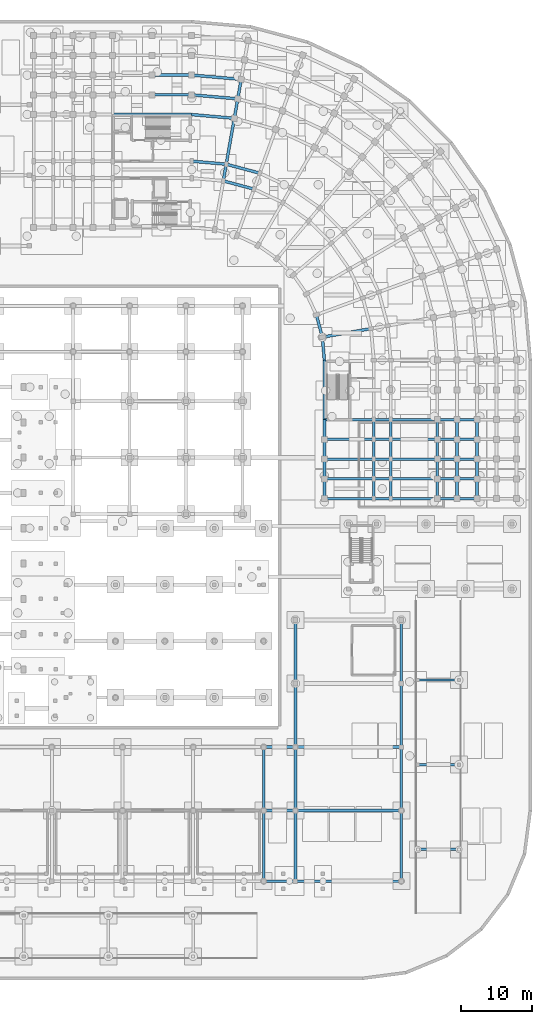
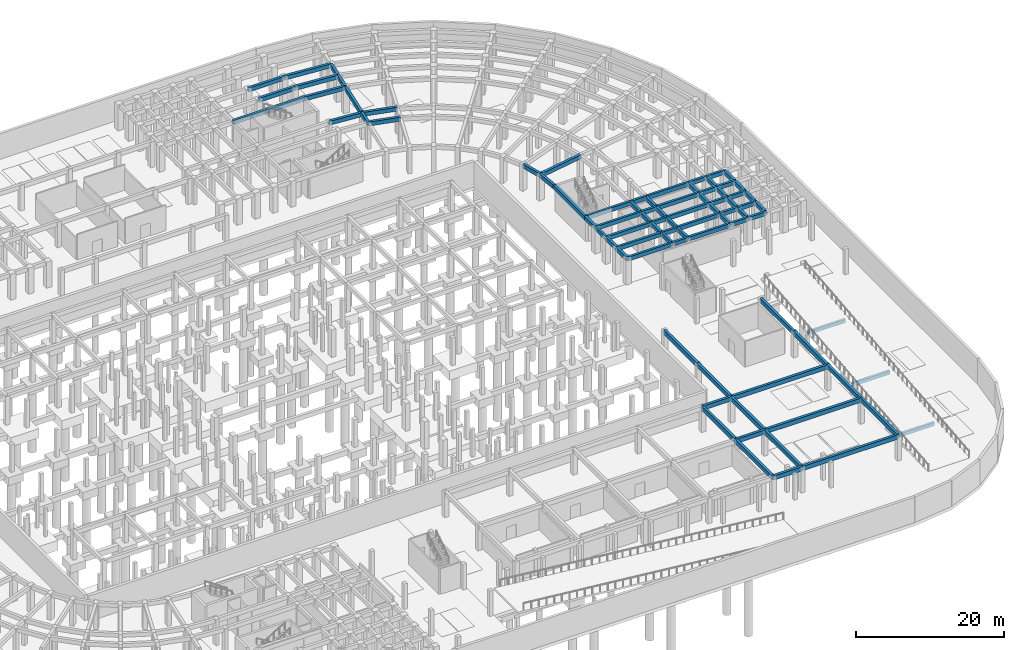
# One storey, part 26 of 53: 85 beams.
"""IFC4 building model written with IfcOpenShell, lengths in metres."""

from ifc_helpers import new_model, si_unit, direction, frame, origin, origin_2d, place, context, subcontext, project, spatial, rectangle, extrude, material, material_profile, profile_set, type_object, element, save


model = new_model("IFC4")

# Units and contexts
model_context = context("Model", 3, precision=1e-05, world=origin(), true_north=direction((0.0, 1.0)))
body_context = subcontext(model_context, "Body", "Model", "MODEL_VIEW")
ifc_project = project(units=[si_unit("LENGTHUNIT", "METRE"), si_unit("AREAUNIT", "SQUARE_METRE"), si_unit("VOLUMEUNIT", "CUBIC_METRE"), si_unit("PLANEANGLEUNIT", "RADIAN"), si_unit("MASSUNIT", "GRAM", prefix="KILO")], contexts=[model_context])

# Site, building, storey
site_placement = place(None, origin())
site = spatial("IfcSite", under=ifc_project, at=site_placement, CompositionType="ELEMENT")
building_placement = place(site_placement, origin())
building = spatial("IfcBuilding", under=site, at=building_placement, Name="Kiranvali Square Residences", CompositionType="ELEMENT")
storey_placement = place(building_placement, frame((0.0, 0.0, -4.5)))
storey = spatial("IfcBuildingStorey", under=building, at=storey_placement, Name="B1", CompositionType="ELEMENT", Elevation=-4.5)

# Beams
ifc_material_1 = material(Name="Concrete M40 (40 MPa)", Category="concrete")
ifc_material_profile_1 = material_profile(ifc_material_1, rectangle(XDim=0.35009765625, YDim=0.550048828125, at=origin_2d()), Name="RC 350x550")
ifc_profile_set_1 = profile_set([ifc_material_profile_1], Name="Concrete M40 (40 MPa)")
beam_type_1 = type_object("IfcBeamType", Name="BM-M40-350x550", PredefinedType="BEAM", material=ifc_profile_set_1)
for number, where, z_axis, x_axis, name in (
    (1, (151.85009765625, 42.5, 2.7451171875), (1.0, 0.0, 0.0), (0.0, 1.0, 0.0), "B1 beam BM-VR2-SUP-1"),
    (2, (151.85009765625, 30.5, 1.544921875), (1.0, 0.0, 0.0), (0.0, 1.0, 0.0), "B1 beam BM-VR2-SUP-2"),
    (3, (151.85009765625, 18.5, 0.344970703125), (1.0, 0.0, 0.0), (0.0, 1.0, 0.0), "B1 beam BM-VR2-SUP-3"),
):
    element("IfcBeam", number, at=place(storey_placement, frame(where, z_axis=z_axis, x_axis=x_axis)), inside=storey, type_object=beam_type_1, Name=name, PredefinedType="BEAM", context=body_context, shape_type="SweptSolid", body=[
        extrude(rectangle(XDim=0.35009765625, YDim=0.550048828125, at=origin_2d()), origin(), (0.0, 0.0, 1.0), 5.7998046875),
    ])
ifc_material_profile_2 = material_profile(ifc_material_1, rectangle(XDim=0.35009765625, YDim=0.64990234375, at=origin_2d()), Name="RC 350x650")
ifc_profile_set_2 = profile_set([ifc_material_profile_2], Name="Concrete M40 (40 MPa)")
beam_type_2 = type_object("IfcBeamType", Name="BM-M40-350x650", PredefinedType="BEAM", material=ifc_profile_set_2)
beam_1_placement = place(storey_placement, frame((138.60009765625, 79.39990234375, 3.955078125), z_axis=(1.0, 0.0, 0.0), x_axis=(0.0, 1.0, 0.0)))
element("IfcBeam", 4, at=beam_1_placement, inside=storey, type_object=beam_type_2, Name="B1 beam BM-B-B1-A2T1-01", PredefinedType="BEAM", context=body_context, shape_type="SweptSolid", body=[
    extrude(rectangle(XDim=0.35009765625, YDim=0.64990234375, at=origin_2d()), origin(), (0.0, 0.0, 1.0), 7.0),
])
beam_2_placement = place(storey_placement, frame((145.60009765625, 79.39990234375, 3.955078125), z_axis=(1.0, 0.0, 0.0), x_axis=(0.0, 1.0, 0.0)))
element("IfcBeam", 5, at=beam_2_placement, inside=storey, type_object=beam_type_2, Name="B1 beam BM-B-B1-A2T1-12", PredefinedType="BEAM", context=body_context, shape_type="SweptSolid", body=[
    extrude(rectangle(XDim=0.35009765625, YDim=0.64990234375, at=origin_2d()), origin(), (0.0, 0.0, 1.0), 2.39990234375),
])
beam_3_placement = place(storey_placement, frame((148.0, 79.39990234375, 3.955078125), z_axis=(1.0, 0.0, 0.0), x_axis=(0.0, 1.0, 0.0)))
element("IfcBeam", 6, at=beam_3_placement, inside=storey, type_object=beam_type_2, Name="B1 beam BM-B-B1-A2T1-23", PredefinedType="BEAM", context=body_context, shape_type="SweptSolid", body=[
    extrude(rectangle(XDim=0.35009765625, YDim=0.64990234375, at=origin_2d()), origin(), (0.0, 0.0, 1.0), 6.60009765625),
])
beam_4_placement = place(storey_placement, frame((154.60009765625, 79.39990234375, 3.955078125), z_axis=(1.0, 0.0, 0.0), x_axis=(0.0, 1.0, 0.0)))
element("IfcBeam", 7, at=beam_4_placement, inside=storey, type_object=beam_type_2, Name="B1 beam BM-B-B1-A2T1-34", PredefinedType="BEAM", context=body_context, shape_type="SweptSolid", body=[
    extrude(rectangle(XDim=0.35009765625, YDim=0.64990234375, at=origin_2d()), origin(), (0.0, 0.0, 1.0), 2.7998046875),
])
beam_5_placement = place(storey_placement, frame((157.39990234375, 79.39990234375, 3.955078125), z_axis=(1.0, 0.0, 0.0), x_axis=(0.0, 1.0, 0.0)))
element("IfcBeam", 8, at=beam_5_placement, inside=storey, type_object=beam_type_2, Name="B1 beam BM-B-B1-A2T1-45", PredefinedType="BEAM", context=body_context, shape_type="SweptSolid", body=[
    extrude(rectangle(XDim=0.35009765625, YDim=0.64990234375, at=origin_2d()), origin(), (0.0, 0.0, 1.0), 2.800048828125),
])
beam_6_placement = place(storey_placement, frame((138.60009765625, 76.60009765625, 3.955078125), z_axis=(1.0, 0.0, 0.0), x_axis=(0.0, 1.0, 0.0)))
element("IfcBeam", 9, at=beam_6_placement, inside=storey, type_object=beam_type_2, Name="B1 beam BM-B-B1-A2T2-01", PredefinedType="BEAM", context=body_context, shape_type="SweptSolid", body=[
    extrude(rectangle(XDim=0.35009765625, YDim=0.64990234375, at=origin_2d()), origin(), (0.0, 0.0, 1.0), 7.0),
])
beam_7_placement = place(storey_placement, frame((145.60009765625, 76.60009765625, 3.955078125), z_axis=(1.0, 0.0, 0.0), x_axis=(0.0, 1.0, 0.0)))
element("IfcBeam", 10, at=beam_7_placement, inside=storey, type_object=beam_type_2, Name="B1 beam BM-B-B1-A2T2-12", PredefinedType="BEAM", context=body_context, shape_type="SweptSolid", body=[
    extrude(rectangle(XDim=0.35009765625, YDim=0.64990234375, at=origin_2d()), origin(), (0.0, 0.0, 1.0), 2.39990234375),
])
beam_8_placement = place(storey_placement, frame((148.0, 76.60009765625, 3.955078125), z_axis=(1.0, 0.0, 0.0), x_axis=(0.0, 1.0, 0.0)))
element("IfcBeam", 11, at=beam_8_placement, inside=storey, type_object=beam_type_2, Name="B1 beam BM-B-B1-A2T2-23", PredefinedType="BEAM", context=body_context, shape_type="SweptSolid", body=[
    extrude(rectangle(XDim=0.35009765625, YDim=0.64990234375, at=origin_2d()), origin(), (0.0, 0.0, 1.0), 6.60009765625),
])
beam_9_placement = place(storey_placement, frame((154.60009765625, 76.60009765625, 3.955078125), z_axis=(1.0, 0.0, 0.0), x_axis=(0.0, 1.0, 0.0)))
element("IfcBeam", 12, at=beam_9_placement, inside=storey, type_object=beam_type_2, Name="B1 beam BM-B-B1-A2T2-34", PredefinedType="BEAM", context=body_context, shape_type="SweptSolid", body=[
    extrude(rectangle(XDim=0.35009765625, YDim=0.64990234375, at=origin_2d()), origin(), (0.0, 0.0, 1.0), 2.7998046875),
])
beam_10_placement = place(storey_placement, frame((157.39990234375, 76.60009765625, 3.955078125), z_axis=(1.0, 0.0, 0.0), x_axis=(0.0, 1.0, 0.0)))
element("IfcBeam", 13, at=beam_10_placement, inside=storey, type_object=beam_type_2, Name="B1 beam BM-B-B1-A2T2-45", PredefinedType="BEAM", context=body_context, shape_type="SweptSolid", body=[
    extrude(rectangle(XDim=0.35009765625, YDim=0.64990234375, at=origin_2d()), origin(), (0.0, 0.0, 1.0), 2.800048828125),
])
beam_11_placement = place(storey_placement, frame((138.60009765625, 73.800048828125, 3.955078125), z_axis=(1.0, 0.0, 0.0), x_axis=(0.0, 1.0, 0.0)))
element("IfcBeam", 14, at=beam_11_placement, inside=storey, type_object=beam_type_2, Name="B1 beam BM-B-B1-A2T3-01", PredefinedType="BEAM", context=body_context, shape_type="SweptSolid", body=[
    extrude(rectangle(XDim=0.35009765625, YDim=0.64990234375, at=origin_2d()), origin(), (0.0, 0.0, 1.0), 7.0),
])
beam_12_placement = place(storey_placement, frame((145.60009765625, 73.800048828125, 3.955078125), z_axis=(1.0, 0.0, 0.0), x_axis=(0.0, 1.0, 0.0)))
element("IfcBeam", 15, at=beam_12_placement, inside=storey, type_object=beam_type_2, Name="B1 beam BM-B-B1-A2T3-12", PredefinedType="BEAM", context=body_context, shape_type="SweptSolid", body=[
    extrude(rectangle(XDim=0.35009765625, YDim=0.64990234375, at=origin_2d()), origin(), (0.0, 0.0, 1.0), 2.39990234375),
])
beam_13_placement = place(storey_placement, frame((148.0, 73.800048828125, 3.955078125), z_axis=(1.0, 0.0, 0.0), x_axis=(0.0, 1.0, 0.0)))
element("IfcBeam", 16, at=beam_13_placement, inside=storey, type_object=beam_type_2, Name="B1 beam BM-B-B1-A2T3-23", PredefinedType="BEAM", context=body_context, shape_type="SweptSolid", body=[
    extrude(rectangle(XDim=0.35009765625, YDim=0.64990234375, at=origin_2d()), origin(), (0.0, 0.0, 1.0), 6.60009765625),
])
beam_14_placement = place(storey_placement, frame((154.60009765625, 73.800048828125, 3.955078125), z_axis=(1.0, 0.0, 0.0), x_axis=(0.0, 1.0, 0.0)))
element("IfcBeam", 17, at=beam_14_placement, inside=storey, type_object=beam_type_2, Name="B1 beam BM-B-B1-A2T3-34", PredefinedType="BEAM", context=body_context, shape_type="SweptSolid", body=[
    extrude(rectangle(XDim=0.35009765625, YDim=0.64990234375, at=origin_2d()), origin(), (0.0, 0.0, 1.0), 2.7998046875),
])
beam_15_placement = place(storey_placement, frame((157.39990234375, 73.800048828125, 3.955078125), z_axis=(1.0, 0.0, 0.0), x_axis=(0.0, 1.0, 0.0)))
element("IfcBeam", 18, at=beam_15_placement, inside=storey, type_object=beam_type_2, Name="B1 beam BM-B-B1-A2T3-45", PredefinedType="BEAM", context=body_context, shape_type="SweptSolid", body=[
    extrude(rectangle(XDim=0.35009765625, YDim=0.64990234375, at=origin_2d()), origin(), (0.0, 0.0, 1.0), 2.800048828125),
])
beam_16_placement = place(storey_placement, frame((138.60009765625, 71.0, 3.955078125), z_axis=(1.0, 0.0, 0.0), x_axis=(0.0, 1.0, 0.0)))
element("IfcBeam", 19, at=beam_16_placement, inside=storey, type_object=beam_type_2, Name="B1 beam BM-B-B1-A2T4-01", PredefinedType="BEAM", context=body_context, shape_type="SweptSolid", body=[
    extrude(rectangle(XDim=0.35009765625, YDim=0.64990234375, at=origin_2d()), origin(), (0.0, 0.0, 1.0), 7.0),
])
beam_17_placement = place(storey_placement, frame((145.60009765625, 71.0, 3.955078125), z_axis=(1.0, 0.0, 0.0), x_axis=(0.0, 1.0, 0.0)))
element("IfcBeam", 20, at=beam_17_placement, inside=storey, type_object=beam_type_2, Name="B1 beam BM-B-B1-A2T4-12", PredefinedType="BEAM", context=body_context, shape_type="SweptSolid", body=[
    extrude(rectangle(XDim=0.35009765625, YDim=0.64990234375, at=origin_2d()), origin(), (0.0, 0.0, 1.0), 2.39990234375),
])
beam_18_placement = place(storey_placement, frame((148.0, 71.0, 3.955078125), z_axis=(1.0, 0.0, 0.0), x_axis=(0.0, 1.0, 0.0)))
element("IfcBeam", 21, at=beam_18_placement, inside=storey, type_object=beam_type_2, Name="B1 beam BM-B-B1-A2T4-23", PredefinedType="BEAM", context=body_context, shape_type="SweptSolid", body=[
    extrude(rectangle(XDim=0.35009765625, YDim=0.64990234375, at=origin_2d()), origin(), (0.0, 0.0, 1.0), 6.60009765625),
])
beam_19_placement = place(storey_placement, frame((154.60009765625, 71.0, 3.955078125), z_axis=(1.0, 0.0, 0.0), x_axis=(0.0, 1.0, 0.0)))
element("IfcBeam", 22, at=beam_19_placement, inside=storey, type_object=beam_type_2, Name="B1 beam BM-B-B1-A2T4-34", PredefinedType="BEAM", context=body_context, shape_type="SweptSolid", body=[
    extrude(rectangle(XDim=0.35009765625, YDim=0.64990234375, at=origin_2d()), origin(), (0.0, 0.0, 1.0), 2.7998046875),
])
beam_20_placement = place(storey_placement, frame((157.39990234375, 71.0, 3.955078125), z_axis=(1.0, 0.0, 0.0), x_axis=(0.0, 1.0, 0.0)))
element("IfcBeam", 23, at=beam_20_placement, inside=storey, type_object=beam_type_2, Name="B1 beam BM-B-B1-A2T4-45", PredefinedType="BEAM", context=body_context, shape_type="SweptSolid", body=[
    extrude(rectangle(XDim=0.35009765625, YDim=0.64990234375, at=origin_2d()), origin(), (0.0, 0.0, 1.0), 2.800048828125),
])
beam_21_placement = place(storey_placement, frame((138.60009765625, 68.199951171875, 3.955078125), z_axis=(1.0, 0.0, 0.0), x_axis=(0.0, 1.0, 0.0)))
element("IfcBeam", 24, at=beam_21_placement, inside=storey, type_object=beam_type_2, Name="B1 beam BM-B-B1-A2T5-01", PredefinedType="BEAM", context=body_context, shape_type="SweptSolid", body=[
    extrude(rectangle(XDim=0.35009765625, YDim=0.64990234375, at=origin_2d()), origin(), (0.0, 0.0, 1.0), 7.0),
])
beam_22_placement = place(storey_placement, frame((145.60009765625, 68.199951171875, 3.955078125), z_axis=(1.0, 0.0, 0.0), x_axis=(0.0, 1.0, 0.0)))
element("IfcBeam", 25, at=beam_22_placement, inside=storey, type_object=beam_type_2, Name="B1 beam BM-B-B1-A2T5-12", PredefinedType="BEAM", context=body_context, shape_type="SweptSolid", body=[
    extrude(rectangle(XDim=0.35009765625, YDim=0.64990234375, at=origin_2d()), origin(), (0.0, 0.0, 1.0), 2.39990234375),
])
beam_23_placement = place(storey_placement, frame((148.0, 68.199951171875, 3.955078125), z_axis=(1.0, 0.0, 0.0), x_axis=(0.0, 1.0, 0.0)))
element("IfcBeam", 26, at=beam_23_placement, inside=storey, type_object=beam_type_2, Name="B1 beam BM-B-B1-A2T5-23", PredefinedType="BEAM", context=body_context, shape_type="SweptSolid", body=[
    extrude(rectangle(XDim=0.35009765625, YDim=0.64990234375, at=origin_2d()), origin(), (0.0, 0.0, 1.0), 6.60009765625),
])
beam_24_placement = place(storey_placement, frame((154.60009765625, 68.199951171875, 3.955078125), z_axis=(1.0, 0.0, 0.0), x_axis=(0.0, 1.0, 0.0)))
element("IfcBeam", 27, at=beam_24_placement, inside=storey, type_object=beam_type_2, Name="B1 beam BM-B-B1-A2T5-34", PredefinedType="BEAM", context=body_context, shape_type="SweptSolid", body=[
    extrude(rectangle(XDim=0.35009765625, YDim=0.64990234375, at=origin_2d()), origin(), (0.0, 0.0, 1.0), 2.7998046875),
])
beam_25_placement = place(storey_placement, frame((157.39990234375, 68.199951171875, 3.955078125), z_axis=(1.0, 0.0, 0.0), x_axis=(0.0, 1.0, 0.0)))
element("IfcBeam", 28, at=beam_25_placement, inside=storey, type_object=beam_type_2, Name="B1 beam BM-B-B1-A2T5-45", PredefinedType="BEAM", context=body_context, shape_type="SweptSolid", body=[
    extrude(rectangle(XDim=0.35009765625, YDim=0.64990234375, at=origin_2d()), origin(), (0.0, 0.0, 1.0), 2.800048828125),
])
ifc_material_2 = material(Name="Concrete M45 (45 MPa)", Category="concrete")
ifc_material_profile_3 = material_profile(ifc_material_2, rectangle(XDim=0.39990234375, YDim=0.64990234375, at=origin_2d()), Name="RC 400x650")
ifc_profile_set_3 = profile_set([ifc_material_profile_3], Name="Concrete M45 (45 MPa)")
beam_type_3 = type_object("IfcBeamType", Name="BM-M45-400x650", PredefinedType="BEAM", material=ifc_profile_set_3)
beam_26_placement = place(storey_placement, frame((119.800048828125, 116.0, 3.955078125), z_axis=(0.996193663584, -0.087167566415, 0.0), x_axis=(0.087167566415, 0.996193663584, 0.0)))
element("IfcBeam", 29, at=beam_26_placement, inside=storey, type_object=beam_type_3, Name="B1 beam BM-B-B1-C00-R2", PredefinedType="BEAM", context=body_context, shape_type="SweptSolid", body=[
    extrude(rectangle(XDim=0.39990234375, YDim=0.64990234375, at=origin_2d()), origin(), (0.0, 0.0, 1.0), 4.91552734375),
])
beam_27_placement = place(storey_placement, frame((119.800048828125, 122.60009765625, 3.955078125), z_axis=(0.996193018494, -0.087174938512, 0.0), x_axis=(0.087174938512, 0.996193018494, 0.0)))
element("IfcBeam", 30, at=beam_27_placement, inside=storey, type_object=beam_type_3, Name="B1 beam BM-B-B1-C00-R3", PredefinedType="BEAM", context=body_context, shape_type="SweptSolid", body=[
    extrude(rectangle(XDim=0.39990234375, YDim=0.64990234375, at=origin_2d()), origin(), (0.0, 0.0, 1.0), 6.066162109375),
])
beam_28_placement = place(storey_placement, frame((119.800048828125, 125.39990234375, 3.955078125), z_axis=(0.996196991902, -0.0871295204, 0.0), x_axis=(0.0871295204, 0.996196991902, 0.0)))
element("IfcBeam", 31, at=beam_28_placement, inside=storey, type_object=beam_type_3, Name="B1 beam BM-B-B1-C00-R4", PredefinedType="BEAM", context=body_context, shape_type="SweptSolid", body=[
    extrude(rectangle(XDim=0.39990234375, YDim=0.64990234375, at=origin_2d()), origin(), (0.0, 0.0, 1.0), 6.553955078125),
])
beam_29_placement = place(storey_placement, frame((119.800048828125, 128.199951171875, 3.955078125), z_axis=(0.996194658198, -0.087156198737, 0.0), x_axis=(0.087156198737, 0.996194658198, 0.0)))
element("IfcBeam", 32, at=beam_29_placement, inside=storey, type_object=beam_type_3, Name="B1 beam BM-B-B1-C00-R5", PredefinedType="BEAM", context=body_context, shape_type="SweptSolid", body=[
    extrude(rectangle(XDim=0.39990234375, YDim=0.64990234375, at=origin_2d()), origin(), (0.0, 0.0, 1.0), 7.042236328125),
])
beam_30_placement = place(storey_placement, frame((124.280029296875, 113.2080078125, 3.955078125), z_axis=(0.965934240054, -0.258787642463, 0.0), x_axis=(0.258787642463, 0.965934240054, 0.0)))
element("IfcBeam", 33, at=beam_30_placement, inside=storey, type_object=beam_type_3, Name="B1 beam BM-B-B1-C01-R1", PredefinedType="BEAM", context=body_context, shape_type="SweptSolid", body=[
    extrude(rectangle(XDim=0.39990234375, YDim=0.64990234375, at=origin_2d()), origin(), (0.0, 0.0, 1.0), 4.497314453125),
])
beam_31_placement = place(storey_placement, frame((124.69677734375, 115.571533203125, 3.955078125), z_axis=(0.965930095386, -0.258803112091, 0.0), x_axis=(0.258803112091, 0.965930095386, 0.0)))
element("IfcBeam", 34, at=beam_31_placement, inside=storey, type_object=beam_type_3, Name="B1 beam BM-B-B1-C01-R2", PredefinedType="BEAM", context=body_context, shape_type="SweptSolid", body=[
    extrude(rectangle(XDim=0.39990234375, YDim=0.64990234375, at=origin_2d()), origin(), (0.0, 0.0, 1.0), 4.915771484375),
])
beam_32_placement = place(storey_placement, frame((137.46630859375, 94.22998046875, 3.955078125), z_axis=(0.258821736607, -0.965925105099, 0.0), x_axis=(0.965925105099, 0.258821736607, 0.0)))
element("IfcBeam", 35, at=beam_32_placement, inside=storey, type_object=beam_type_3, Name="B1 beam BM-B-B1-C07-R0", PredefinedType="BEAM", context=body_context, shape_type="SweptSolid", body=[
    extrude(rectangle(XDim=0.39990234375, YDim=0.64990234375, at=origin_2d()), origin(), (0.0, 0.0, 1.0), 3.27685546875),
])
beam_33_placement = place(storey_placement, frame((138.314453125, 91.064697265625, 3.955078125), z_axis=(0.087163253657, -0.996194040944, 0.0), x_axis=(0.996194040944, 0.087163253657, 0.0)))
element("IfcBeam", 36, at=beam_33_placement, inside=storey, type_object=beam_type_3, Name="B1 beam BM-B-B1-C08-R0", PredefinedType="BEAM", context=body_context, shape_type="SweptSolid", body=[
    extrude(rectangle(XDim=0.39990234375, YDim=0.64990234375, at=origin_2d()), origin(), (0.0, 0.0, 1.0), 3.277099609375),
])
beam_34_placement = place(storey_placement, frame((124.280029296875, 113.2080078125, 3.955078125), z_axis=(0.173646056486, 0.984808127031, 0.0), x_axis=(-0.984808127031, 0.173646056486, 0.0)))
element("IfcBeam", 37, at=beam_34_placement, inside=storey, type_object=beam_type_3, Name="B1 beam BM-B-B1-RAD01-12", PredefinedType="BEAM", context=body_context, shape_type="SweptSolid", body=[
    extrude(rectangle(XDim=0.39990234375, YDim=0.64990234375, at=origin_2d()), origin(), (0.0, 0.0, 1.0), 2.39990234375),
])
beam_35_placement = place(storey_placement, frame((124.69677734375, 115.571533203125, 3.955078125), z_axis=(0.173671381499, 0.984803661269, 0.0), x_axis=(-0.984803661269, 0.173671381499, 0.0)))
element("IfcBeam", 38, at=beam_35_placement, inside=storey, type_object=beam_type_3, Name="B1 beam BM-B-B1-RAD01-23", PredefinedType="BEAM", context=body_context, shape_type="SweptSolid", body=[
    extrude(rectangle(XDim=0.39990234375, YDim=0.64990234375, at=origin_2d()), origin(), (0.0, 0.0, 1.0), 6.60009765625),
])
beam_36_placement = place(storey_placement, frame((125.843017578125, 122.0712890625, 3.955078125), z_axis=(0.173596320392, 0.984816895441, 0.0), x_axis=(-0.984816895441, 0.173596320392, 0.0)))
element("IfcBeam", 39, at=beam_36_placement, inside=storey, type_object=beam_type_3, Name="B1 beam BM-B-B1-RAD01-34", PredefinedType="BEAM", context=body_context, shape_type="SweptSolid", body=[
    extrude(rectangle(XDim=0.39990234375, YDim=0.64990234375, at=origin_2d()), origin(), (0.0, 0.0, 1.0), 2.800048828125),
])
beam_37_placement = place(storey_placement, frame((126.3291015625, 124.828857421875, 3.955078125), z_axis=(0.173695795656, 0.984799355489, 0.0), x_axis=(-0.984799355489, 0.173695795656, 0.0)))
element("IfcBeam", 40, at=beam_37_placement, inside=storey, type_object=beam_type_3, Name="B1 beam BM-B-B1-RAD01-45", PredefinedType="BEAM", context=body_context, shape_type="SweptSolid", body=[
    extrude(rectangle(XDim=0.39990234375, YDim=0.64990234375, at=origin_2d()), origin(), (0.0, 0.0, 1.0), 2.7998046875),
])
beam_38_placement = place(storey_placement, frame((138.314453125, 91.064697265625, 3.955078125), z_axis=(0.984812337125, 0.173622177865, 0.0), x_axis=(-0.173622177865, 0.984812337125, 0.0)))
element("IfcBeam", 41, at=beam_38_placement, inside=storey, type_object=beam_type_3, Name="B1 beam BM-B-B1-RAD08-01", PredefinedType="BEAM", context=body_context, shape_type="SweptSolid", body=[
    extrude(rectangle(XDim=0.39990234375, YDim=0.64990234375, at=origin_2d()), origin(), (0.0, 0.0, 1.0), 6.999755859375),
])
beam_39_placement = place(storey_placement, frame((119.800048828125, 122.60009765625, 3.955078125), z_axis=(-1.0, 0.0, 0.0), x_axis=(0.0, -1.0, 0.0)))
element("IfcBeam", 42, at=beam_39_placement, inside=storey, type_object=beam_type_3, Name="B1 beam BM-B-B1-A1U0-R3", PredefinedType="BEAM", context=body_context, shape_type="SweptSolid", body=[
    extrude(rectangle(XDim=0.39990234375, YDim=0.64990234375, at=origin_2d()), origin(), (0.0, 0.0, 1.0), 11.199951171875),
])
for number, where, z_axis, x_axis, name in (
    (43, (119.800048828125, 125.39990234375, 3.955078125), (-1.0, 0.0, 0.0), (0.0, -1.0, 0.0), "B1 beam BM-B-B1-A1U0-R4"),
    (44, (119.800048828125, 128.199951171875, 3.955078125), (-1.0, 0.0, 0.0), (0.0, -1.0, 0.0), "B1 beam BM-B-B1-A1U0-R5"),
):
    element("IfcBeam", number, at=place(storey_placement, frame(where, z_axis=z_axis, x_axis=x_axis)), inside=storey, type_object=beam_type_3, Name=name, PredefinedType="BEAM", context=body_context, shape_type="SweptSolid", body=[
        extrude(rectangle(XDim=0.39990234375, YDim=0.64990234375, at=origin_2d()), origin(), (0.0, 0.0, 1.0), 5.60009765625),
    ])
beam_40_placement = place(storey_placement, frame((138.60009765625, 87.800048828125, 3.955078125), z_axis=(0.0, -1.0, 0.0), x_axis=(1.0, 0.0, 0.0)))
element("IfcBeam", 45, at=beam_40_placement, inside=storey, type_object=beam_type_3, Name="B1 beam BM-B-B1-A2V0-R0", PredefinedType="BEAM", context=body_context, shape_type="SweptSolid", body=[
    extrude(rectangle(XDim=0.39990234375, YDim=0.64990234375, at=origin_2d()), origin(), (0.0, 0.0, 1.0), 8.400146484375),
])
beam_41_placement = place(storey_placement, frame((138.60009765625, 79.39990234375, 3.955078125), z_axis=(0.0, -1.0, 0.0), x_axis=(1.0, 0.0, 0.0)))
element("IfcBeam", 46, at=beam_41_placement, inside=storey, type_object=beam_type_3, Name="B1 beam BM-B-B1-A2V1-R0", PredefinedType="BEAM", context=body_context, shape_type="SweptSolid", body=[
    extrude(rectangle(XDim=0.39990234375, YDim=0.64990234375, at=origin_2d()), origin(), (0.0, 0.0, 1.0), 2.7998046875),
])
for number, where, z_axis, x_axis, name in (
    (47, (138.60009765625, 76.60009765625, 3.955078125), (0.0, -1.0, 0.0), (1.0, 0.0, 0.0), "B1 beam BM-B-B1-A2V2-R0"),
    (48, (138.60009765625, 73.800048828125, 3.955078125), (0.0, -1.0, 0.0), (1.0, 0.0, 0.0), "B1 beam BM-B-B1-A2V3-R0"),
    (49, (138.60009765625, 71.0, 3.955078125), (0.0, -1.0, 0.0), (1.0, 0.0, 0.0), "B1 beam BM-B-B1-A2V4-R0"),
):
    element("IfcBeam", number, at=place(storey_placement, frame(where, z_axis=z_axis, x_axis=x_axis)), inside=storey, type_object=beam_type_3, Name=name, PredefinedType="BEAM", context=body_context, shape_type="SweptSolid", body=[
        extrude(rectangle(XDim=0.39990234375, YDim=0.64990234375, at=origin_2d()), origin(), (0.0, 0.0, 1.0), 2.800048828125),
    ])
beam_42_placement = place(storey_placement, frame((145.60009765625, 79.39990234375, 3.955078125), z_axis=(0.0, -1.0, 0.0), x_axis=(1.0, 0.0, 0.0)))
element("IfcBeam", 50, at=beam_42_placement, inside=storey, type_object=beam_type_3, Name="B1 beam BM-B-B1-A2V1-R1", PredefinedType="BEAM", context=body_context, shape_type="SweptSolid", body=[
    extrude(rectangle(XDim=0.39990234375, YDim=0.64990234375, at=origin_2d()), origin(), (0.0, 0.0, 1.0), 2.7998046875),
])
for number, where, z_axis, x_axis, name in (
    (51, (145.60009765625, 76.60009765625, 3.955078125), (0.0, -1.0, 0.0), (1.0, 0.0, 0.0), "B1 beam BM-B-B1-A2V2-R1"),
    (52, (145.60009765625, 73.800048828125, 3.955078125), (0.0, -1.0, 0.0), (1.0, 0.0, 0.0), "B1 beam BM-B-B1-A2V3-R1"),
    (53, (145.60009765625, 71.0, 3.955078125), (0.0, -1.0, 0.0), (1.0, 0.0, 0.0), "B1 beam BM-B-B1-A2V4-R1"),
):
    element("IfcBeam", number, at=place(storey_placement, frame(where, z_axis=z_axis, x_axis=x_axis)), inside=storey, type_object=beam_type_3, Name=name, PredefinedType="BEAM", context=body_context, shape_type="SweptSolid", body=[
        extrude(rectangle(XDim=0.39990234375, YDim=0.64990234375, at=origin_2d()), origin(), (0.0, 0.0, 1.0), 2.800048828125),
    ])
beam_43_placement = place(storey_placement, frame((148.0, 79.39990234375, 3.955078125), z_axis=(0.0, -1.0, 0.0), x_axis=(1.0, 0.0, 0.0)))
element("IfcBeam", 54, at=beam_43_placement, inside=storey, type_object=beam_type_3, Name="B1 beam BM-B-B1-A2V2-R2", PredefinedType="BEAM", context=body_context, shape_type="SweptSolid", body=[
    extrude(rectangle(XDim=0.39990234375, YDim=0.64990234375, at=origin_2d()), origin(), (0.0, 0.0, 1.0), 2.7998046875),
])
for number, where, z_axis, x_axis, name in (
    (55, (148.0, 76.60009765625, 3.955078125), (0.0, -1.0, 0.0), (1.0, 0.0, 0.0), "B1 beam BM-B-B1-A2V3-R2"),
    (56, (148.0, 73.800048828125, 3.955078125), (0.0, -1.0, 0.0), (1.0, 0.0, 0.0), "B1 beam BM-B-B1-A2V4-R2"),
    (57, (148.0, 71.0, 3.955078125), (0.0, -1.0, 0.0), (1.0, 0.0, 0.0), "B1 beam BM-B-B1-A2V5-R2"),
):
    element("IfcBeam", number, at=place(storey_placement, frame(where, z_axis=z_axis, x_axis=x_axis)), inside=storey, type_object=beam_type_3, Name=name, PredefinedType="BEAM", context=body_context, shape_type="SweptSolid", body=[
        extrude(rectangle(XDim=0.39990234375, YDim=0.64990234375, at=origin_2d()), origin(), (0.0, 0.0, 1.0), 2.800048828125),
    ])
beam_44_placement = place(storey_placement, frame((154.60009765625, 79.39990234375, 3.955078125), z_axis=(0.0, -1.0, 0.0), x_axis=(1.0, 0.0, 0.0)))
element("IfcBeam", 58, at=beam_44_placement, inside=storey, type_object=beam_type_3, Name="B1 beam BM-B-B1-A2V2-R3", PredefinedType="BEAM", context=body_context, shape_type="SweptSolid", body=[
    extrude(rectangle(XDim=0.39990234375, YDim=0.64990234375, at=origin_2d()), origin(), (0.0, 0.0, 1.0), 2.7998046875),
])
for number, where, z_axis, x_axis, name in (
    (59, (154.60009765625, 76.60009765625, 3.955078125), (0.0, -1.0, 0.0), (1.0, 0.0, 0.0), "B1 beam BM-B-B1-A2V3-R3"),
    (60, (154.60009765625, 73.800048828125, 3.955078125), (0.0, -1.0, 0.0), (1.0, 0.0, 0.0), "B1 beam BM-B-B1-A2V4-R3"),
    (61, (154.60009765625, 71.0, 3.955078125), (0.0, -1.0, 0.0), (1.0, 0.0, 0.0), "B1 beam BM-B-B1-A2V5-R3"),
):
    element("IfcBeam", number, at=place(storey_placement, frame(where, z_axis=z_axis, x_axis=x_axis)), inside=storey, type_object=beam_type_3, Name=name, PredefinedType="BEAM", context=body_context, shape_type="SweptSolid", body=[
        extrude(rectangle(XDim=0.39990234375, YDim=0.64990234375, at=origin_2d()), origin(), (0.0, 0.0, 1.0), 2.800048828125),
    ])
beam_45_placement = place(storey_placement, frame((157.39990234375, 79.39990234375, 3.955078125), z_axis=(0.0, -1.0, 0.0), x_axis=(1.0, 0.0, 0.0)))
element("IfcBeam", 62, at=beam_45_placement, inside=storey, type_object=beam_type_3, Name="B1 beam BM-B-B1-A2V2-R4", PredefinedType="BEAM", context=body_context, shape_type="SweptSolid", body=[
    extrude(rectangle(XDim=0.39990234375, YDim=0.64990234375, at=origin_2d()), origin(), (0.0, 0.0, 1.0), 2.7998046875),
])
for number, where, z_axis, x_axis, name in (
    (63, (157.39990234375, 76.60009765625, 3.955078125), (0.0, -1.0, 0.0), (1.0, 0.0, 0.0), "B1 beam BM-B-B1-A2V3-R4"),
    (64, (157.39990234375, 73.800048828125, 3.955078125), (0.0, -1.0, 0.0), (1.0, 0.0, 0.0), "B1 beam BM-B-B1-A2V4-R4"),
    (65, (157.39990234375, 71.0, 3.955078125), (0.0, -1.0, 0.0), (1.0, 0.0, 0.0), "B1 beam BM-B-B1-A2V5-R4"),
):
    element("IfcBeam", number, at=place(storey_placement, frame(where, z_axis=z_axis, x_axis=x_axis)), inside=storey, type_object=beam_type_3, Name=name, PredefinedType="BEAM", context=body_context, shape_type="SweptSolid", body=[
        extrude(rectangle(XDim=0.39990234375, YDim=0.64990234375, at=origin_2d()), origin(), (0.0, 0.0, 1.0), 2.800048828125),
    ])
beam_46_placement = place(storey_placement, frame((160.199951171875, 79.39990234375, 3.955078125), z_axis=(0.0, -1.0, 0.0), x_axis=(1.0, 0.0, 0.0)))
element("IfcBeam", 66, at=beam_46_placement, inside=storey, type_object=beam_type_3, Name="B1 beam BM-B-B1-A2V2-R5", PredefinedType="BEAM", context=body_context, shape_type="SweptSolid", body=[
    extrude(rectangle(XDim=0.39990234375, YDim=0.64990234375, at=origin_2d()), origin(), (0.0, 0.0, 1.0), 2.7998046875),
])
for number, where, z_axis, x_axis, name in (
    (67, (160.199951171875, 76.60009765625, 3.955078125), (0.0, -1.0, 0.0), (1.0, 0.0, 0.0), "B1 beam BM-B-B1-A2V3-R5"),
    (68, (160.199951171875, 73.800048828125, 3.955078125), (0.0, -1.0, 0.0), (1.0, 0.0, 0.0), "B1 beam BM-B-B1-A2V4-R5"),
    (69, (160.199951171875, 71.0, 3.955078125), (0.0, -1.0, 0.0), (1.0, 0.0, 0.0), "B1 beam BM-B-B1-A2V5-R5"),
):
    element("IfcBeam", number, at=place(storey_placement, frame(where, z_axis=z_axis, x_axis=x_axis)), inside=storey, type_object=beam_type_3, Name=name, PredefinedType="BEAM", context=body_context, shape_type="SweptSolid", body=[
        extrude(rectangle(XDim=0.39990234375, YDim=0.64990234375, at=origin_2d()), origin(), (0.0, 0.0, 1.0), 2.800048828125),
    ])
ifc_material_profile_4 = material_profile(ifc_material_2, rectangle(XDim=0.39990234375, YDim=0.699951171875, at=origin_2d()), Name="RC 400x700")
ifc_profile_set_4 = profile_set([ifc_material_profile_4], Name="Concrete M45 (45 MPa)")
beam_type_4 = type_object("IfcBeamType", Name="BM-M45-400x700", PredefinedType="BEAM", material=ifc_profile_set_4)
beam_47_placement = place(storey_placement, frame((130.0, 14.0, 3.85009765625), z_axis=(1.0, 0.0, 0.0), x_axis=(0.0, 1.0, 0.0)))
element("IfcBeam", 70, at=beam_47_placement, inside=storey, type_object=beam_type_4, Name="B1 beam BM-B1-SE-14-5", PredefinedType="BEAM", context=body_context, shape_type="SweptSolid", body=[
    extrude(rectangle(XDim=0.39990234375, YDim=0.699951171875, at=origin_2d()), origin(), (0.0, 0.0, 1.0), 4.5),
])
beam_48_placement = place(storey_placement, frame((134.5, 14.0, 3.85009765625), z_axis=(1.0, 0.0, 0.0), x_axis=(0.0, 1.0, 0.0)))
element("IfcBeam", 71, at=beam_48_placement, inside=storey, type_object=beam_type_4, Name="B1 beam BM-B1-SE-14-6", PredefinedType="BEAM", context=body_context, shape_type="SweptSolid", body=[
    extrude(rectangle(XDim=0.39990234375, YDim=0.699951171875, at=origin_2d()), origin(), (0.0, 0.0, 1.0), 15.0),
])
beam_49_placement = place(storey_placement, frame((130.0, 24.0, 3.85009765625), z_axis=(1.0, 0.0, 0.0), x_axis=(0.0, 1.0, 0.0)))
element("IfcBeam", 72, at=beam_49_placement, inside=storey, type_object=beam_type_4, Name="B1 beam BM-B1-SE-24-5", PredefinedType="BEAM", context=body_context, shape_type="SweptSolid", body=[
    extrude(rectangle(XDim=0.39990234375, YDim=0.699951171875, at=origin_2d()), origin(), (0.0, 0.0, 1.0), 4.5),
])
beam_50_placement = place(storey_placement, frame((134.5, 24.0, 3.85009765625), z_axis=(1.0, 0.0, 0.0), x_axis=(0.0, 1.0, 0.0)))
element("IfcBeam", 73, at=beam_50_placement, inside=storey, type_object=beam_type_4, Name="B1 beam BM-B1-SE-24-6", PredefinedType="BEAM", context=body_context, shape_type="SweptSolid", body=[
    extrude(rectangle(XDim=0.39990234375, YDim=0.699951171875, at=origin_2d()), origin(), (0.0, 0.0, 1.0), 15.0),
])
beam_51_placement = place(storey_placement, frame((130.0, 33.0, 3.85009765625), z_axis=(1.0, 0.0, 0.0), x_axis=(0.0, 1.0, 0.0)))
element("IfcBeam", 74, at=beam_51_placement, inside=storey, type_object=beam_type_4, Name="B1 beam BM-B1-SE-33-5", PredefinedType="BEAM", context=body_context, shape_type="SweptSolid", body=[
    extrude(rectangle(XDim=0.39990234375, YDim=0.699951171875, at=origin_2d()), origin(), (0.0, 0.0, 1.0), 4.5),
])
beam_52_placement = place(storey_placement, frame((134.5, 33.0, 3.85009765625), z_axis=(1.0, 0.0, 0.0), x_axis=(0.0, 1.0, 0.0)))
element("IfcBeam", 75, at=beam_52_placement, inside=storey, type_object=beam_type_4, Name="B1 beam BM-B1-SE-33-6", PredefinedType="BEAM", context=body_context, shape_type="SweptSolid", body=[
    extrude(rectangle(XDim=0.39990234375, YDim=0.699951171875, at=origin_2d()), origin(), (0.0, 0.0, 1.0), 15.0),
])
beam_53_placement = place(storey_placement, frame((130.0, 14.0, 3.85009765625), z_axis=(0.0, 1.0, 0.0), x_axis=(-1.0, 0.0, 0.0)))
element("IfcBeam", 76, at=beam_53_placement, inside=storey, type_object=beam_type_4, Name="B1 beam BM-B1-SEY-130-1", PredefinedType="BEAM", context=body_context, shape_type="SweptSolid", body=[
    extrude(rectangle(XDim=0.39990234375, YDim=0.699951171875, at=origin_2d()), origin(), (0.0, 0.0, 1.0), 10.0),
])
beam_54_placement = place(storey_placement, frame((130.0, 24.0, 3.85009765625), z_axis=(0.0, 1.0, 0.0), x_axis=(-1.0, 0.0, 0.0)))
element("IfcBeam", 77, at=beam_54_placement, inside=storey, type_object=beam_type_4, Name="B1 beam BM-B1-SEY-130-2", PredefinedType="BEAM", context=body_context, shape_type="SweptSolid", body=[
    extrude(rectangle(XDim=0.39990234375, YDim=0.699951171875, at=origin_2d()), origin(), (0.0, 0.0, 1.0), 9.0),
])
beam_55_placement = place(storey_placement, frame((134.5, 14.0, 3.85009765625), z_axis=(0.0, 1.0, 0.0), x_axis=(-1.0, 0.0, 0.0)))
element("IfcBeam", 78, at=beam_55_placement, inside=storey, type_object=beam_type_4, Name="B1 beam BM-B1-SEY-134-1", PredefinedType="BEAM", context=body_context, shape_type="SweptSolid", body=[
    extrude(rectangle(XDim=0.39990234375, YDim=0.699951171875, at=origin_2d()), origin(), (0.0, 0.0, 1.0), 10.0),
])
for number, where, z_axis, x_axis, name in (
    (79, (134.5, 24.0, 3.85009765625), (0.0, 1.0, 0.0), (-1.0, 0.0, 0.0), "B1 beam BM-B1-SEY-134-2"),
    (80, (134.5, 33.0, 3.85009765625), (0.0, 1.0, 0.0), (-1.0, 0.0, 0.0), "B1 beam BM-B1-SEY-134-3"),
    (81, (134.5, 42.0, 3.85009765625), (0.0, 1.0, 0.0), (-1.0, 0.0, 0.0), "B1 beam BM-B1-SEY-134-4"),
):
    element("IfcBeam", number, at=place(storey_placement, frame(where, z_axis=z_axis, x_axis=x_axis)), inside=storey, type_object=beam_type_4, Name=name, PredefinedType="BEAM", context=body_context, shape_type="SweptSolid", body=[
        extrude(rectangle(XDim=0.39990234375, YDim=0.699951171875, at=origin_2d()), origin(), (0.0, 0.0, 1.0), 9.0),
    ])
beam_56_placement = place(storey_placement, frame((149.5, 14.0, 3.85009765625), z_axis=(0.0, 1.0, 0.0), x_axis=(-1.0, 0.0, 0.0)))
element("IfcBeam", 82, at=beam_56_placement, inside=storey, type_object=beam_type_4, Name="B1 beam BM-B1-SEY-149-1", PredefinedType="BEAM", context=body_context, shape_type="SweptSolid", body=[
    extrude(rectangle(XDim=0.39990234375, YDim=0.699951171875, at=origin_2d()), origin(), (0.0, 0.0, 1.0), 10.0),
])
for number, where, z_axis, x_axis, name in (
    (83, (149.5, 24.0, 3.85009765625), (0.0, 1.0, 0.0), (-1.0, 0.0, 0.0), "B1 beam BM-B1-SEY-149-2"),
    (84, (149.5, 33.0, 3.85009765625), (0.0, 1.0, 0.0), (-1.0, 0.0, 0.0), "B1 beam BM-B1-SEY-149-3"),
    (85, (149.5, 42.0, 3.85009765625), (0.0, 1.0, 0.0), (-1.0, 0.0, 0.0), "B1 beam BM-B1-SEY-149-4"),
):
    element("IfcBeam", number, at=place(storey_placement, frame(where, z_axis=z_axis, x_axis=x_axis)), inside=storey, type_object=beam_type_4, Name=name, PredefinedType="BEAM", context=body_context, shape_type="SweptSolid", body=[
        extrude(rectangle(XDim=0.39990234375, YDim=0.699951171875, at=origin_2d()), origin(), (0.0, 0.0, 1.0), 9.0),
    ])

save(model, "model.ifc")
